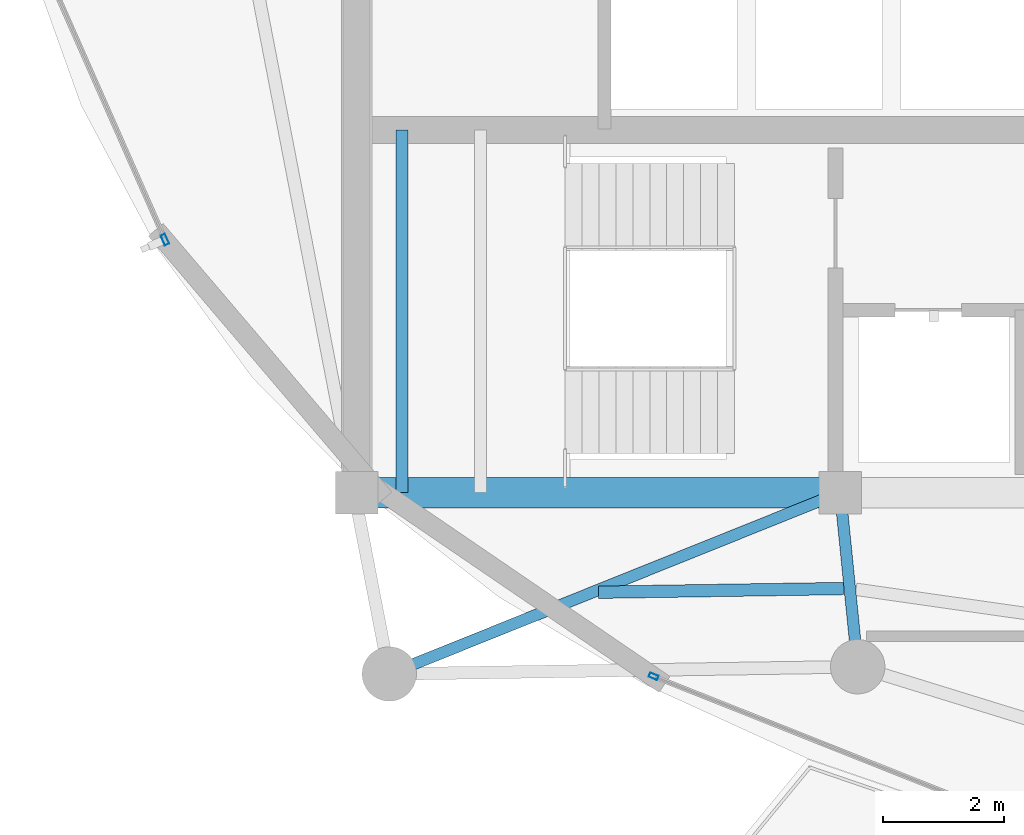
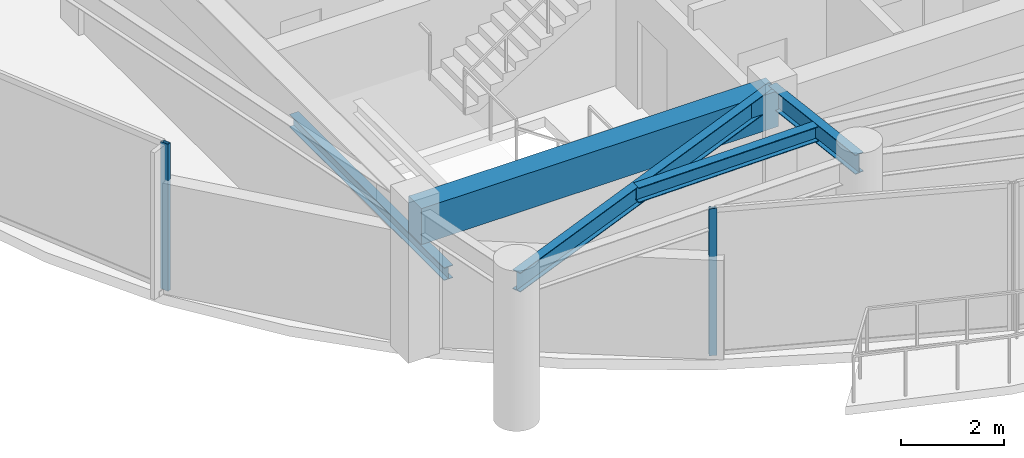
# One storey, part 2 of 22: 5 beams, 2 members, 2 elements without a shape of their own.
"""IFC4 building model written with IfcOpenShell, lengths in metres."""

from ifc_helpers import new_model, si_unit, direction, frame, origin, origin_2d, place, context, subcontext, project, spatial, rectangle, hollow_rectangle, i_section, extrude, material, layer, layer_set, material_profile, profile_set, type_object, element, aggregate, save


model = new_model("IFC4")

# Units and contexts
model_context = context("Model", 3, precision=1e-05, world=origin(), true_north=direction((0.0, 1.0)))
body_context = subcontext(model_context, "Body", "Model", "MODEL_VIEW")
ifc_project = project(units=[si_unit("LENGTHUNIT", "METRE"), si_unit("AREAUNIT", "SQUARE_METRE"), si_unit("VOLUMEUNIT", "CUBIC_METRE"), si_unit("PLANEANGLEUNIT", "RADIAN"), si_unit("MASSUNIT", "GRAM", prefix="KILO")], contexts=[model_context])

# Site, building, storey
site_placement = place(None, origin())
site = spatial("IfcSite", under=ifc_project, at=site_placement, CompositionType="ELEMENT")
building_placement = place(site_placement, origin())
building = spatial("IfcBuilding", under=site, at=building_placement, Name="Kazevale Care Tower and Concert Hall", CompositionType="ELEMENT")
storey_placement = place(building_placement, frame((0.0, 0.0, 277.60009765625)))
storey = spatial("IfcBuildingStorey", under=building, at=storey_placement, Name="L73", CompositionType="ELEMENT", Elevation=277.60009765625)

# Curtain wall, member
ifc_material_1 = material(Name="Aluminium 6063-T6 and Low-E Glass", Category="aluminium")
ifc_layer_1 = layer(ifc_material_1, 0.179931640625)
ifc_layer_set_1 = layer_set([ifc_layer_1], Name="Aluminium 6063-T6 and Low-E Glass")
curtain_wall_type_1 = type_object("IfcCurtainWallType", Name="Waist & Upper Residential Curtain Wall CW-4", PredefinedType="NOTDEFINED", material=ifc_layer_set_1)
curtain_wall_1_placement = place(storey_placement, origin())
curtain_wall_1 = element("IfcCurtainWall", 1, at=curtain_wall_1_placement, inside=storey, type_object=curtain_wall_type_1, Name="cw:L73:f07", PredefinedType="NOTDEFINED")
ifc_material_2 = material(Name="Aluminium 6063-T6", Category="aluminium")
ifc_material_profile_1 = material_profile(ifc_material_2, hollow_rectangle(XDim=0.080078125, YDim=0.179931640625, WallThickness=0.0048828125, at=origin_2d()), Name="ALU80x180x5")
ifc_profile_set_1 = profile_set([ifc_material_profile_1], Name="Aluminium 6063-T6")
member_type_1 = type_object("IfcMemberType", Name="CW-4 Mullion ALU80x180x5", PredefinedType="MULLION", material=ifc_profile_set_1)
member_1_placement = place(storey_placement, frame((18.828857421875, 27.78759765625, 0.0), z_axis=(0.0, 0.0, 1.0), x_axis=(-0.914936245618, -0.403598397488, 0.0)))
member_1 = element("IfcMember", 2, at=member_1_placement, type_object=member_type_1, Name="CW-4 mullion 1", PredefinedType="MULLION", context=body_context, shape_type="SweptSolid", body=[
    extrude(hollow_rectangle(XDim=0.080078125, YDim=0.179931640625, WallThickness=0.0048828125, at=origin_2d()), origin(), (0.0, 0.0, 1.0), 3.47998046875),
])
aggregate(curtain_wall_1, [member_1])

ifc_layer_2 = layer(ifc_material_1, 0.179931640625)
ifc_layer_set_2 = layer_set([ifc_layer_2], Name="Aluminium 6063-T6 and Low-E Glass")
curtain_wall_type_2 = type_object("IfcCurtainWallType", Name="Sheltered Concave Balcony Curtain Wall CW-5", PredefinedType="NOTDEFINED", material=ifc_layer_set_2)
curtain_wall_2_placement = place(storey_placement, origin())
curtain_wall_2 = element("IfcCurtainWall", 3, at=curtain_wall_2_placement, inside=storey, type_object=curtain_wall_type_2, Name="cw:L73:f04", PredefinedType="NOTDEFINED")
ifc_material_profile_2 = material_profile(ifc_material_2, hollow_rectangle(XDim=0.074951171875, YDim=0.14990234375, WallThickness=0.00390625, at=origin_2d()), Name="ALU75x150x4")
ifc_profile_set_2 = profile_set([ifc_material_profile_2], Name="Aluminium 6063-T6")
member_type_2 = type_object("IfcMemberType", Name="CW-5 Mullion ALU75x150x4", PredefinedType="MULLION", material=ifc_profile_set_2)
member_2_placement = place(storey_placement, frame((26.912841796875, 20.56103515625, 0.0), z_axis=(0.0, 0.0, 1.0), x_axis=(-0.369556171894, -0.929208392028, 0.0)))
member_2 = element("IfcMember", 4, at=member_2_placement, type_object=member_type_2, Name="CW-5 mullion 2", PredefinedType="MULLION", context=body_context, shape_type="SweptSolid", body=[
    extrude(hollow_rectangle(XDim=0.074951171875, YDim=0.14990234375, WallThickness=0.00390625, at=origin_2d()), origin(), (0.0, 0.0, 1.0), 3.47998046875),
])
aggregate(curtain_wall_2, [member_2])

# Beams
ifc_material_3 = material(Name="Concrete C60", Category="concrete")
ifc_material_profile_3 = material_profile(ifc_material_3, rectangle(XDim=0.5, YDim=0.85009765625, at=origin_2d()), Name="RC-B500x850")
ifc_profile_set_3 = profile_set([ifc_material_profile_3], Name="Concrete C60")
beam_type_1 = type_object("IfcBeamType", Name="Core Coupling Beam RC500x850", PredefinedType="LINTEL", material=ifc_profile_set_3)
beam_1_placement = place(storey_placement, frame((22.0, 23.60009765625, 3.054931640625), z_axis=(1.0, 0.0, 0.0), x_axis=(0.0, 1.0, 0.0)))
element("IfcBeam", 5, at=beam_1_placement, inside=storey, type_object=beam_type_1, Name="beam:L73:coretie:1", PredefinedType="LINTEL", context=body_context, shape_type="SweptSolid", body=[
    extrude(rectangle(XDim=0.5, YDim=0.85009765625, at=origin_2d()), origin(), (0.0, 0.0, 1.0), 8.0),
])
ifc_material_4 = material(Name="Steel ASTM A572 Gr 50", Category="steel")
ifc_material_profile_4 = material_profile(ifc_material_4, i_section(OverallWidth=0.19091796875, OverallDepth=0.4599609375, WebThickness=0.010009765625, FlangeThickness=0.01611328125, at=origin_2d()), Name="W460x82")
ifc_profile_set_4 = profile_set([ifc_material_profile_4], Name="Steel ASTM A572 Gr 50")
beam_type_2 = type_object("IfcBeamType", Name="Radial Floor Beam W460x82", PredefinedType="BEAM", material=ifc_profile_set_4)
beam_2_placement = place(storey_placement, frame((30.0, 23.60009765625, 3.25), z_axis=(-0.927788258921, -0.373107151644, 0.0), x_axis=(0.373107151644, -0.927788258921, 0.0)))
element("IfcBeam", 6, at=beam_2_placement, inside=storey, type_object=beam_type_2, Name="beam:L73:rad:10", PredefinedType="BEAM", context=body_context, shape_type="SweptSolid", body=[
    extrude(i_section(OverallWidth=0.19091796875, OverallDepth=0.4599609375, WebThickness=0.010009765625, FlangeThickness=0.01611328125, at=origin_2d()), origin(), (0.0, 0.0, 1.0), 8.04052734375),
])
beam_3_placement = place(storey_placement, frame((30.0, 23.60009765625, 3.25), z_axis=(0.100196792003, -0.994967639108, 0.0), x_axis=(0.994967639108, 0.100196792003, 0.0)))
element("IfcBeam", 7, at=beam_3_placement, inside=storey, type_object=beam_type_2, Name="beam:L73:rad:11", PredefinedType="BEAM", context=body_context, shape_type="SweptSolid", body=[
    extrude(i_section(OverallWidth=0.19091796875, OverallDepth=0.4599609375, WebThickness=0.010009765625, FlangeThickness=0.01611328125, at=origin_2d()), origin(), (0.0, 0.0, 1.0), 2.894775390625),
])
ifc_material_profile_5 = material_profile(ifc_material_4, i_section(OverallWidth=0.205078125, OverallDepth=0.35400390625, WebThickness=0.009521484375, FlangeThickness=0.016845703125, at=origin_2d()), Name="W360x79")
ifc_profile_set_5 = profile_set([ifc_material_profile_5], Name="Steel ASTM A572 Gr 50")
beam_type_3 = type_object("IfcBeamType", Name="Secondary Floor Joist W360x79", PredefinedType="JOIST", material=ifc_profile_set_5)
beam_4_placement = place(storey_placement, frame((26.001953125, 21.951904296875, 3.302978515625), z_axis=(0.999882971215, 0.015298492542, 0.0), x_axis=(-0.015298492542, 0.999882971215, 0.0)))
element("IfcBeam", 8, at=beam_4_placement, inside=storey, type_object=beam_type_3, Name="beam:L73:joist:10", PredefinedType="JOIST", context=body_context, shape_type="SweptSolid", body=[
    extrude(i_section(OverallWidth=0.205078125, OverallDepth=0.35400390625, WebThickness=0.009521484375, FlangeThickness=0.016845703125, at=origin_2d()), origin(), (0.0, 0.0, 1.0), 4.053466796875),
])
ifc_material_profile_6 = material_profile(ifc_material_4, i_section(OverallWidth=0.202880859375, OverallDepth=0.302978515625, WebThickness=0.007568359375, FlangeThickness=0.01318359375, at=origin_2d()), Name="W310x60")
ifc_profile_set_6 = profile_set([ifc_material_profile_6], Name="Steel ASTM A572 Gr 50")
beam_type_4 = type_object("IfcBeamType", Name="Stair & Balcony Trimmer W310x60", PredefinedType="BEAM", material=ifc_profile_set_6)
beam_5_placement = place(storey_placement, frame((22.75, 23.60009765625, 1.54833984375), z_axis=(0.0, 1.0, 0.0), x_axis=(-1.0, 0.0, 0.0)))
element("IfcBeam", 9, at=beam_5_placement, inside=storey, type_object=beam_type_4, Name="beam:L73:sttrim:ST1", PredefinedType="BEAM", context=body_context, shape_type="SweptSolid", body=[
    extrude(i_section(OverallWidth=0.202880859375, OverallDepth=0.302978515625, WebThickness=0.007568359375, FlangeThickness=0.01318359375, at=origin_2d()), origin(), (0.0, 0.0, 1.0), 6.0),
])

save(model, "model.ifc")
